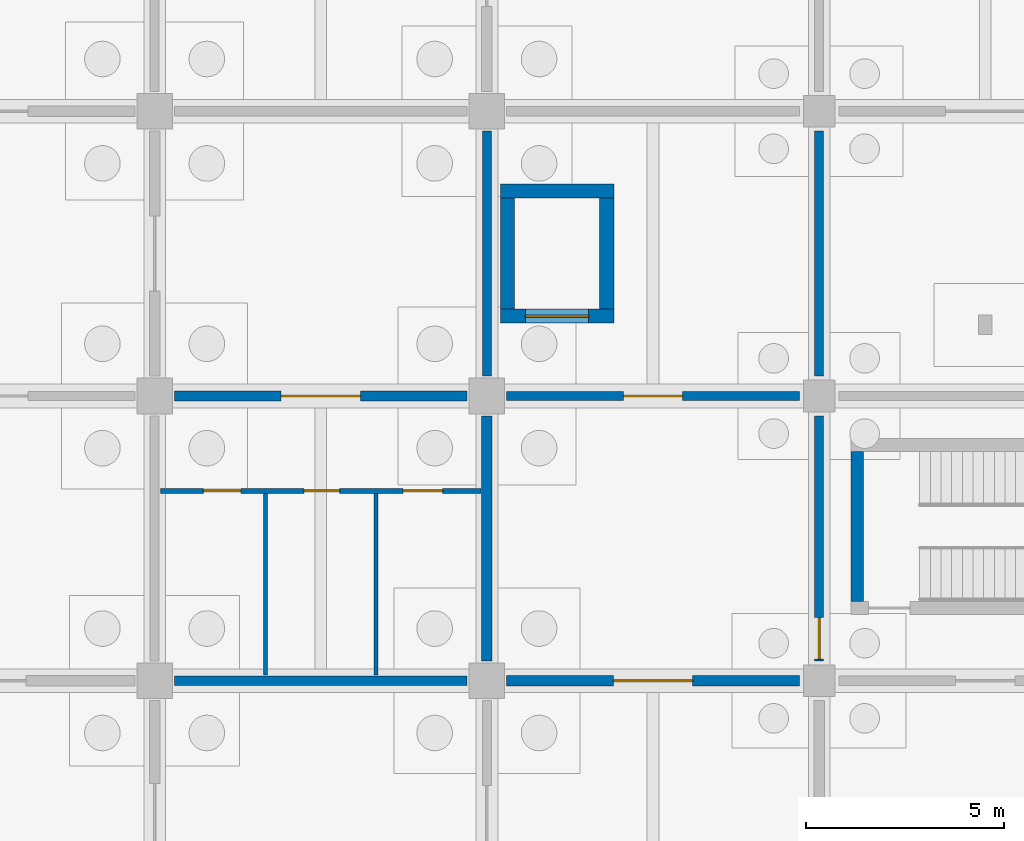
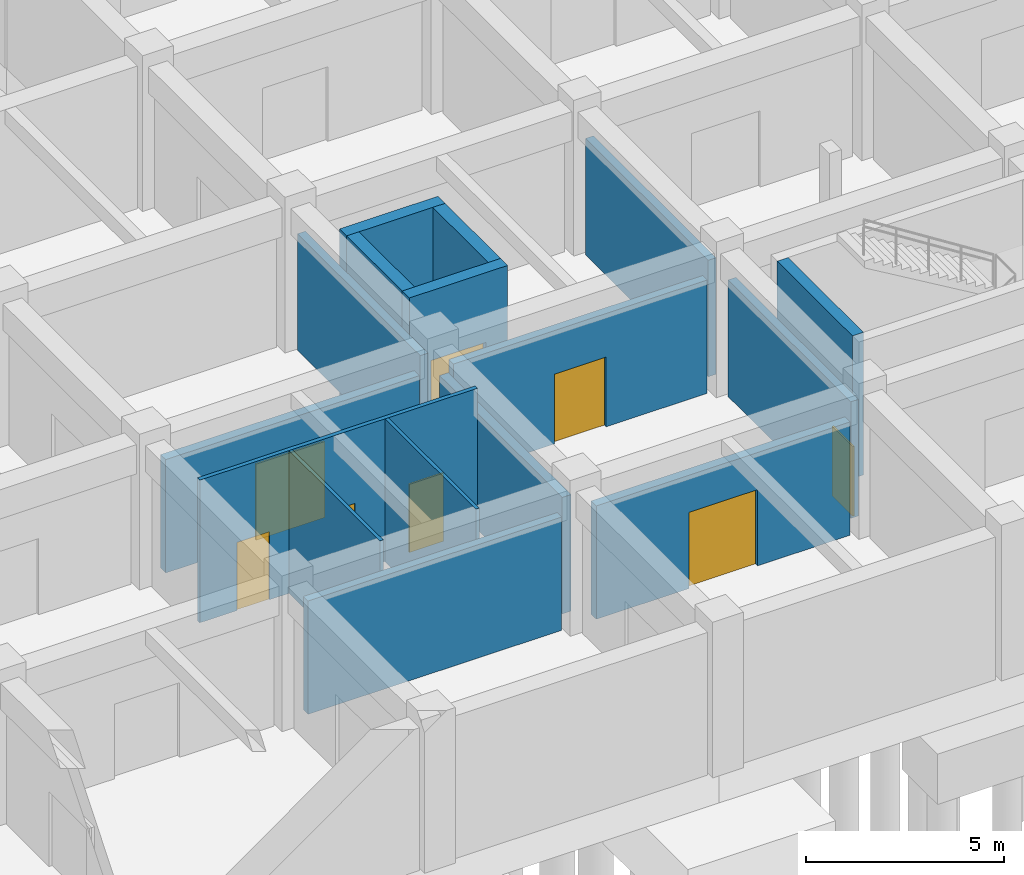
# One storey, part 30 of 38: 16 walls, 8 doors, 8 openings.
"""IFC4 building model written with IfcOpenShell, lengths in metres."""

from ifc_helpers import new_model, si_unit, derived_unit, direction, frame, frame_2d, origin, place, context, subcontext, project, spatial, rectangle, extrude, material, layer, layer_set, type_object, element, fill, save


model = new_model("IFC4")

# Units and contexts
model_context = context("Model", 3, precision=1e-05, world=origin(), true_north=direction((0.0, 1.0)))
body_context = subcontext(model_context, "Body", "Model", "MODEL_VIEW")
ifc_project = project(units=[si_unit("LENGTHUNIT", "METRE"), si_unit("AREAUNIT", "SQUARE_METRE"), si_unit("VOLUMEUNIT", "CUBIC_METRE"), si_unit("PLANEANGLEUNIT", "RADIAN"), si_unit("MASSUNIT", "GRAM", prefix="KILO"), derived_unit("THERMALTRANSMITTANCEUNIT", [(si_unit("MASSUNIT", "GRAM", prefix="KILO"), 1), (si_unit("TIMEUNIT", "SECOND"), -3), (si_unit("THERMODYNAMICTEMPERATUREUNIT", "KELVIN"), -1)])], contexts=[model_context])

# Site, building, storey
site_placement = place(None, origin())
site = spatial("IfcSite", under=ifc_project, at=site_placement, CompositionType="ELEMENT")
building_placement = place(site_placement, origin())
building = spatial("IfcBuilding", under=site, at=building_placement, Name="Veldstrom Oceanarium and Marine Research Institute", CompositionType="ELEMENT")
storey_placement = place(building_placement, frame((0.0, 0.0, -9.60009765625)))
storey = spatial("IfcBuildingStorey", under=building, at=storey_placement, Name="B02", CompositionType="ELEMENT", Elevation=-9.60009765625)

# Walls
ifc_material_1 = material(Name="Masonry Fire Compartment Wall", Category="masonry")
ifc_layer_1 = layer(ifc_material_1, 0.22998046875)
ifc_layer_set_1 = layer_set([ifc_layer_1], Name="ARC-WAL-PT1")
wall_type_1 = type_object("IfcWallType", Name="ARC-WAL-PT1", PredefinedType="PARTITIONING", material=ifc_layer_set_1)
wall_1_placement = place(storey_placement, frame((109.699951171875, 50.39990234375, 0.0), z_axis=(0.0, 0.0, 1.0), x_axis=(1.0, 0.0, 0.0)))
element("IfcWall", 1, at=wall_1_placement, inside=storey, type_object=wall_type_1, Name="Interior Partition PT1 B02-0183", PredefinedType="PARTITIONING", context=body_context, shape_type="SweptSolid", body=[
    extrude(rectangle(XDim=7.400146484375, YDim=0.22998046875, at=frame_2d((3.7001953125, 0.0))), origin(), (0.0, 0.0, 1.0), 3.4951171875),
])
wall_2_placement = place(storey_placement, frame((117.60009765625, 58.10009765625, 0.0), z_axis=(0.0, 0.0, 1.0), x_axis=(0.0, 1.0, 0.0)))
element("IfcWall", 2, at=wall_2_placement, inside=storey, type_object=wall_type_1, Name="Interior Partition PT1 B02-0186", PredefinedType="PARTITIONING", context=body_context, shape_type="SweptSolid", body=[
    extrude(rectangle(XDim=6.199951171875, YDim=0.22998046875, at=frame_2d((3.10009765625, 0.0))), origin(), (0.0, 0.0, 1.0), 3.59521484375),
])

# Wall, opening, door
wall_3_placement = place(storey_placement, frame((126.0, 50.89990234375, 0.0), z_axis=(0.0, 0.0, 1.0), x_axis=(0.0, 1.0, 0.0)))
wall_3 = element("IfcWall", 3, at=wall_3_placement, inside=storey, type_object=wall_type_1, Name="Interior Partition PT1 B02-0191", PredefinedType="PARTITIONING", context=body_context, shape_type="SweptSolid", body=[
    extrude(rectangle(XDim=6.2001953125, YDim=0.22998046875, at=frame_2d((3.10009765625, 0.0))), origin(), (0.0, 0.0, 1.0), 3.59521484375),
])
opening_1_placement = place(wall_3_placement, frame((0.050048828125, 0.0, 0.0)))
opening_1 = element("IfcOpeningElement", 4, at=opening_1_placement, cuts=wall_3, Name="Opening D-B02-112", PredefinedType="OPENING", context=body_context, shape_type="SweptSolid", body=[
    extrude(rectangle(XDim=1.050048828125, YDim=2.14990234375, at=frame_2d((0.52490234375, 1.074951171875))), frame((0.0, 0.125, 0.0), z_axis=(0.0, -1.0, 0.0), x_axis=(1.0, 0.0, 0.0)), (0.0, 0.0, 1.0), 0.25),
])
ifc_material_2 = material(Name="Painted Steel Fire Door", Category="steel")
door_type_1 = type_object("IfcDoorType", Name="ARC-DOR-SD1", OperationType="SINGLE_SWING_LEFT", PredefinedType="DOOR", material=ifc_material_2)
door_1_placement = place(opening_1_placement, origin())
door_1 = element("IfcDoor", 5, at=door_1_placement, inside=storey, type_object=door_type_1, Name="Interior Door D-B02-112", OperationType="SINGLE_SWING_LEFT", OverallHeight=2.14990234375, OverallWidth=1.050048828125, PredefinedType="DOOR", context=body_context, shape_type="SweptSolid", body=[
    extrude(rectangle(XDim=1.050048828125, YDim=2.14990234375, at=frame_2d((0.52490234375, 1.074951171875))), frame((0.0, 0.02490234375, 0.0), z_axis=(0.0, -1.0, 0.0), x_axis=(1.0, 0.0, 0.0)), (0.0, 0.0, 1.0), 0.050048828125),
])
fill(opening_1, door_1)

wall_4_placement = place(storey_placement, frame((118.10009765625, 57.60009765625, 0.0), z_axis=(0.0, 0.0, 1.0), x_axis=(1.0, 0.0, 0.0)))
wall_4 = element("IfcWall", 6, at=wall_4_placement, inside=storey, type_object=wall_type_1, Name="Interior Partition PT1 B02-0192", PredefinedType="PARTITIONING", context=body_context, shape_type="SweptSolid", body=[
    extrude(rectangle(XDim=7.39990234375, YDim=0.22998046875, at=frame_2d((3.699951171875, 0.0))), origin(), (0.0, 0.0, 1.0), 3.4951171875),
])
opening_2_placement = place(wall_4_placement, frame((2.949951171875, 0.0, 0.0)))
opening_2 = element("IfcOpeningElement", 7, at=opening_2_placement, cuts=wall_4, Name="Opening D-B02-113", PredefinedType="OPENING", context=body_context, shape_type="SweptSolid", body=[
    extrude(rectangle(XDim=1.5, YDim=2.14990234375, at=frame_2d((0.75, 1.074951171875))), frame((0.0, 0.125, 0.0), z_axis=(0.0, -1.0, 0.0), x_axis=(1.0, 0.0, 0.0)), (0.0, 0.0, 1.0), 0.25),
])
ifc_material_3 = material(Name="Painted Steel Lobby Fire Door", Category="steel")
door_type_2 = type_object("IfcDoorType", Name="ARC-DOR-SD2", OperationType="DOUBLE_DOOR_SINGLE_SWING", PredefinedType="DOOR", material=ifc_material_3)
door_2_placement = place(opening_2_placement, frame((1.5, 0.0, 0.0), z_axis=(0.0, 0.0, 1.0), x_axis=(-1.0, 0.0, 0.0)))
door_2 = element("IfcDoor", 8, at=door_2_placement, inside=storey, type_object=door_type_2, Name="Interior Door D-B02-113", OperationType="DOUBLE_DOOR_SINGLE_SWING", OverallHeight=2.14990234375, OverallWidth=1.5, PredefinedType="DOOR", context=body_context, shape_type="SweptSolid", body=[
    extrude(rectangle(XDim=1.5, YDim=2.14990234375, at=frame_2d((0.75, 1.074951171875))), frame((0.0, 0.02490234375, 0.0), z_axis=(0.0, -1.0, 0.0), x_axis=(1.0, 0.0, 0.0)), (0.0, 0.0, 1.0), 0.050048828125),
])
fill(opening_2, door_2)

# Wall
wall_5_placement = place(storey_placement, frame((126.0, 58.10009765625, 0.0), z_axis=(0.0, 0.0, 1.0), x_axis=(0.0, 1.0, 0.0)))
element("IfcWall", 9, at=wall_5_placement, inside=storey, type_object=wall_type_1, Name="Interior Partition PT1 B02-0193", PredefinedType="PARTITIONING", context=body_context, shape_type="SweptSolid", body=[
    extrude(rectangle(XDim=6.199951171875, YDim=0.22998046875, at=frame_2d((3.10009765625, 0.0))), origin(), (0.0, 0.0, 1.0), 3.59521484375),
])

# Wall, openings, doors
ifc_material_4 = material(Name="Lightweight Studio Partition", Category="gypsum")
ifc_layer_2 = layer(ifc_material_4, 0.1201171875)
ifc_layer_set_2 = layer_set([ifc_layer_2], Name="ARC-WAL-PT6")
wall_type_2 = type_object("IfcWallType", Name="ARC-WAL-PT6", PredefinedType="PARTITIONING", material=ifc_layer_set_2)
wall_6_placement = place(storey_placement, frame((109.35009765625, 55.199951171875, 0.0), z_axis=(0.0, 0.0, 1.0), x_axis=(1.0, 0.0, 0.0)))
wall_6 = element("IfcWall", 10, at=wall_6_placement, inside=storey, type_object=wall_type_2, Name="Sanitary Vestibule Partition B02-13", PredefinedType="PARTITIONING", context=body_context, shape_type="SweptSolid", body=[
    extrude(rectangle(XDim=8.099853515625, YDim=0.1201171875, at=frame_2d((4.0498046875, 0.0))), origin(), (0.0, 0.0, 1.0), 4.400146484375),
])
opening_3_placement = place(wall_6_placement, frame((1.080078125, 0.0, 0.0)))
opening_3 = element("IfcOpeningElement", 11, at=opening_3_placement, cuts=wall_6, Name="Opening D-B02-WC001", PredefinedType="OPENING", context=body_context, shape_type="SweptSolid", body=[
    extrude(rectangle(XDim=0.949951171875, YDim=2.10009765625, at=frame_2d((0.47509765625, 1.050048828125))), frame((0.0, 0.070068359375, 0.0), z_axis=(0.0, -1.0, 0.0), x_axis=(1.0, 0.0, 0.0)), (0.0, 0.0, 1.0), 0.14013671875),
])
opening_4_placement = place(wall_6_placement, frame((3.6298828125, 0.0, 0.0)))
opening_4 = element("IfcOpeningElement", 12, at=opening_4_placement, cuts=wall_6, Name="Opening D-B02-WC002", PredefinedType="OPENING", context=body_context, shape_type="SweptSolid", body=[
    extrude(rectangle(XDim=0.89990234375, YDim=2.10009765625, at=frame_2d((0.449951171875, 1.050048828125))), frame((0.0, 0.070068359375, 0.0), z_axis=(0.0, -1.0, 0.0), x_axis=(1.0, 0.0, 0.0)), (0.0, 0.0, 1.0), 0.14013671875),
])
opening_5_placement = place(wall_6_placement, frame((6.1298828125, 0.0, 0.0)))
opening_5 = element("IfcOpeningElement", 13, at=opening_5_placement, cuts=wall_6, Name="Opening D-B02-WC003", PredefinedType="OPENING", context=body_context, shape_type="SweptSolid", body=[
    extrude(rectangle(XDim=1.0, YDim=2.10009765625, at=frame_2d((0.5, 1.050048828125))), frame((0.0, 0.070068359375, 0.0), z_axis=(0.0, -1.0, 0.0), x_axis=(1.0, 0.0, 0.0)), (0.0, 0.0, 1.0), 0.14013671875),
])
ifc_material_5 = material(Name="Accessible Sanitary Door", Category="timber")
door_type_3 = type_object("IfcDoorType", Name="ARC-DOR-ID08", OperationType="SINGLE_SWING_RIGHT", PredefinedType="DOOR", material=ifc_material_5)
door_3_placement = place(opening_5_placement, frame((1.0, 0.0, 0.0), z_axis=(0.0, 0.0, 1.0), x_axis=(-1.0, 0.0, 0.0)))
door_3 = element("IfcDoor", 14, at=door_3_placement, inside=storey, type_object=door_type_3, Name="Accessible WC Door D-B02-WC003", OperationType="SINGLE_SWING_RIGHT", OverallHeight=2.10009765625, OverallWidth=1.0, PredefinedType="DOOR", context=body_context, shape_type="SweptSolid", body=[
    extrude(rectangle(XDim=1.0, YDim=2.10009765625, at=frame_2d((0.5, 1.050048828125))), frame((0.0, 0.02490234375, 0.0), z_axis=(0.0, -1.0, 0.0), x_axis=(1.0, 0.0, 0.0)), (0.0, 0.0, 1.0), 0.050048828125),
])
fill(opening_5, door_3)
ifc_material_6 = material(Name="Staff Sanitary Door", Category="timber")
door_type_4 = type_object("IfcDoorType", Name="ARC-DOR-ID09", OperationType="SINGLE_SWING_LEFT", PredefinedType="DOOR", material=ifc_material_6)
door_4_placement = place(opening_3_placement, frame((0.949951171875, 0.0, 0.0), z_axis=(0.0, 0.0, 1.0), x_axis=(-1.0, 0.0, 0.0)))
door_4 = element("IfcDoor", 15, at=door_4_placement, inside=storey, type_object=door_type_4, Name="Male WC Door D-B02-WC001", OperationType="SINGLE_SWING_RIGHT", OverallHeight=2.10009765625, OverallWidth=0.949951171875, PredefinedType="DOOR", context=body_context, shape_type="SweptSolid", body=[
    extrude(rectangle(XDim=0.949951171875, YDim=2.10009765625, at=frame_2d((0.47509765625, 1.050048828125))), frame((0.0, 0.02490234375, 0.0), z_axis=(0.0, -1.0, 0.0), x_axis=(1.0, 0.0, 0.0)), (0.0, 0.0, 1.0), 0.050048828125),
])
fill(opening_3, door_4)
ifc_material_7 = material(Name="Internal Sanitary Door", Category="timber")
door_type_5 = type_object("IfcDoorType", Name="ARC-DOR-ID10", OperationType="SINGLE_SWING_RIGHT", PredefinedType="DOOR", material=ifc_material_7)
door_5_placement = place(opening_4_placement, frame((0.89990234375, 0.0, 0.0), z_axis=(0.0, 0.0, 1.0), x_axis=(-1.0, 0.0, 0.0)))
door_5 = element("IfcDoor", 16, at=door_5_placement, inside=storey, type_object=door_type_5, Name="Female WC Door D-B02-WC002", OperationType="SINGLE_SWING_LEFT", OverallHeight=2.10009765625, OverallWidth=0.89990234375, PredefinedType="DOOR", context=body_context, shape_type="SweptSolid", body=[
    extrude(rectangle(XDim=0.89990234375, YDim=2.10009765625, at=frame_2d((0.449951171875, 1.050048828125))), frame((0.0, 0.02490234375, 0.0), z_axis=(0.0, -1.0, 0.0), x_axis=(1.0, 0.0, 0.0)), (0.0, 0.0, 1.0), 0.050048828125),
])
fill(opening_4, door_5)

# Walls
ifc_material_8 = material(Name="Sanitary Cubicle Partition", Category="gypsum")
ifc_layer_3 = layer(ifc_material_8, 0.10009765625)
ifc_layer_set_3 = layer_set([ifc_layer_3], Name="ARC-WAL-PT7")
wall_type_3 = type_object("IfcWallType", Name="ARC-WAL-PT7", PredefinedType="PARTITIONING", material=ifc_layer_set_3)
for number, where, z_axis, x_axis, name in (
    (17, (112.0, 50.550048828125, 0.0), (0.0, 0.0, 1.0), (0.0, 1.0, 0.0), "Sanitary Stall Divider Wall B02-0002"),
    (18, (114.800048828125, 50.550048828125, 0.0), (0.0, 0.0, 1.0), (0.0, 1.0, 0.0), "Sanitary Stall Divider Wall B02-0003"),
):
    element("IfcWall", number, at=place(storey_placement, frame(where, z_axis=z_axis, x_axis=x_axis)), inside=storey, type_object=wall_type_3, Name=name, PredefinedType="PARTITIONING", context=body_context, shape_type="SweptSolid", body=[
        extrude(rectangle(XDim=4.58984375, YDim=0.10009765625, at=frame_2d((2.294921875, 0.0))), origin(), (0.0, 0.0, 1.0), 4.400146484375),
    ])
ifc_material_9 = material(Name="Plant Acoustic Masonry Wall", Category="masonry")
ifc_layer_4 = layer(ifc_material_9, 0.260009765625)
ifc_layer_set_4 = layer_set([ifc_layer_4], Name="ARC-WAL-PT8")
wall_type_4 = type_object("IfcWallType", Name="ARC-WAL-PT8", PredefinedType="PARTITIONING", material=ifc_layer_set_4)
wall_7_placement = place(storey_placement, frame((117.60009765625, 50.89990234375, 0.0), z_axis=(0.0, 0.0, 1.0), x_axis=(0.0, 1.0, 0.0)))
element("IfcWall", 19, at=wall_7_placement, inside=storey, type_object=wall_type_4, Name="Interior Partition PT8 B02-0184", PredefinedType="PARTITIONING", context=body_context, shape_type="SweptSolid", body=[
    extrude(rectangle(XDim=6.2001953125, YDim=0.260009765625, at=frame_2d((3.10009765625, 0.0))), origin(), (0.0, 0.0, 1.0), 3.59521484375),
])

# Wall, opening, door
wall_8_placement = place(storey_placement, frame((109.699951171875, 57.60009765625, 0.0), z_axis=(0.0, 0.0, 1.0), x_axis=(1.0, 0.0, 0.0)))
wall_8 = element("IfcWall", 20, at=wall_8_placement, inside=storey, type_object=wall_type_4, Name="Interior Partition PT8 B02-0185", PredefinedType="PARTITIONING", context=body_context, shape_type="SweptSolid", body=[
    extrude(rectangle(XDim=7.400146484375, YDim=0.260009765625, at=frame_2d((3.7001953125, 0.0))), origin(), (0.0, 0.0, 1.0), 3.4951171875),
])
opening_6_placement = place(wall_8_placement, frame((2.699951171875, 0.0, 0.0)))
opening_6 = element("IfcOpeningElement", 21, at=opening_6_placement, cuts=wall_8, Name="Opening D-B02-109", PredefinedType="OPENING", context=body_context, shape_type="SweptSolid", body=[
    extrude(rectangle(XDim=2.0, YDim=2.35009765625, at=frame_2d((1.0, 1.175048828125))), frame((0.0, 0.139892578125, 0.0), z_axis=(0.0, -1.0, 0.0), x_axis=(1.0, 0.0, 0.0)), (0.0, 0.0, 1.0), 0.280029296875),
])
ifc_material_10 = material(Name="Filtration Hall Double Door", Category="steel")
door_type_6 = type_object("IfcDoorType", Name="ARC-DOR-ID18", OperationType="DOUBLE_DOOR_SINGLE_SWING", PredefinedType="DOOR", material=ifc_material_10)
door_6_placement = place(opening_6_placement, frame((2.0, 0.0, 0.0), z_axis=(0.0, 0.0, 1.0), x_axis=(-1.0, 0.0, 0.0)))
door_6 = element("IfcDoor", 22, at=door_6_placement, inside=storey, type_object=door_type_6, Name="Interior Door D-B02-109", OperationType="DOUBLE_DOOR_SINGLE_SWING", OverallHeight=2.35009765625, OverallWidth=2.0, PredefinedType="DOOR", context=body_context, shape_type="SweptSolid", body=[
    extrude(rectangle(XDim=2.0, YDim=2.35009765625, at=frame_2d((1.0, 1.175048828125))), frame((0.0, 0.02490234375, 0.0), z_axis=(0.0, -1.0, 0.0), x_axis=(1.0, 0.0, 0.0)), (0.0, 0.0, 1.0), 0.050048828125),
])
fill(opening_6, door_6)

wall_9_placement = place(storey_placement, frame((118.10009765625, 50.39990234375, 0.0), z_axis=(0.0, 0.0, 1.0), x_axis=(1.0, 0.0, 0.0)))
wall_9 = element("IfcWall", 23, at=wall_9_placement, inside=storey, type_object=wall_type_4, Name="Interior Partition PT8 B02-0190", PredefinedType="PARTITIONING", context=body_context, shape_type="SweptSolid", body=[
    extrude(rectangle(XDim=7.39990234375, YDim=0.260009765625, at=frame_2d((3.699951171875, 0.0))), origin(), (0.0, 0.0, 1.0), 3.4951171875),
])
opening_7_placement = place(wall_9_placement, frame((2.699951171875, 0.0, 0.0)))
opening_7 = element("IfcOpeningElement", 24, at=opening_7_placement, cuts=wall_9, Name="Opening D-B02-111", PredefinedType="OPENING", context=body_context, shape_type="SweptSolid", body=[
    extrude(rectangle(XDim=2.0, YDim=2.35009765625, at=frame_2d((1.0, 1.175048828125))), frame((0.0, 0.139892578125, 0.0), z_axis=(0.0, -1.0, 0.0), x_axis=(1.0, 0.0, 0.0)), (0.0, 0.0, 1.0), 0.280029296875),
])
door_7_placement = place(opening_7_placement, origin())
door_7 = element("IfcDoor", 25, at=door_7_placement, inside=storey, type_object=door_type_6, Name="Interior Door D-B02-111", OperationType="DOUBLE_DOOR_SINGLE_SWING", OverallHeight=2.35009765625, OverallWidth=2.0, PredefinedType="DOOR", context=body_context, shape_type="SweptSolid", body=[
    extrude(rectangle(XDim=2.0, YDim=2.35009765625, at=frame_2d((1.0, 1.175048828125))), frame((0.0, 0.02490234375, 0.0), z_axis=(0.0, -1.0, 0.0), x_axis=(1.0, 0.0, 0.0)), (0.0, 0.0, 1.0), 0.050048828125),
])
fill(opening_7, door_7)

# Wall
ifc_material_11 = material(Name="Concrete C40/50", Category="concrete")
ifc_layer_5 = layer(ifc_material_11, 0.360107421875)
ifc_layer_set_5 = layer_set([ifc_layer_5], Name="STR-WAL-WC2")
wall_type_5 = type_object("IfcWallType", Name="STR-WAL-WC2", PredefinedType="SHEAR", material=ifc_layer_set_5)
wall_10_placement = place(storey_placement, frame((117.93994140625, 62.780029296875, -0.75), z_axis=(0.0, 0.0, 1.0), x_axis=(1.0, 0.0, 0.0)))
element("IfcWall", 26, at=wall_10_placement, inside=storey, type_object=wall_type_5, Name="Lift Shaft Shear Wall N B02 14/8", PredefinedType="SHEAR", context=body_context, shape_type="SweptSolid", body=[
    extrude(rectangle(XDim=2.8701171875, YDim=0.360107421875, at=frame_2d((1.43505859375, 0.0))), origin(), (0.0, 0.0, 1.0), 5.150146484375),
])

# Wall, opening, door
wall_11_placement = place(storey_placement, frame((117.93994140625, 59.6201171875, -0.75), z_axis=(0.0, 0.0, 1.0), x_axis=(1.0, 0.0, 0.0)))
wall_11 = element("IfcWall", 27, at=wall_11_placement, inside=storey, type_object=wall_type_5, Name="Lift Shaft Front Shear Wall LG1 B02", PredefinedType="SHEAR", context=body_context, shape_type="SweptSolid", body=[
    extrude(rectangle(XDim=2.8701171875, YDim=0.360107421875, at=frame_2d((1.43505859375, 0.0))), origin(), (0.0, 0.0, 1.0), 5.150146484375),
])
opening_8_placement = place(wall_11_placement, frame((0.635009765625, 0.0, 0.75)))
opening_8 = element("IfcOpeningElement", 28, at=opening_8_placement, cuts=wall_11, Name="Opening LD-LG1-B02", PredefinedType="OPENING", context=body_context, shape_type="SweptSolid", body=[
    extrude(rectangle(XDim=1.60009765625, YDim=2.25, at=frame_2d((0.800048828125, 1.125))), frame((0.0, 0.18994140625, 0.0), z_axis=(0.0, -1.0, 0.0), x_axis=(1.0, 0.0, 0.0)), (0.0, 0.0, 1.0), 0.380126953125),
])
ifc_material_12 = material(Name="Heavy Goods Lift Landing Door", Category="steel")
door_type_7 = type_object("IfcDoorType", Name="ARC-DOR-LD4", OperationType="DOUBLE_DOOR_SLIDING", PredefinedType="DOOR", material=ifc_material_12)
door_8_placement = place(opening_8_placement, origin())
door_8 = element("IfcDoor", 29, at=door_8_placement, inside=storey, type_object=door_type_7, Name="Lift Landing Door LD-LG1-B02", OperationType="DOUBLE_DOOR_SLIDING", OverallHeight=2.25, OverallWidth=1.60009765625, PredefinedType="DOOR", context=body_context, shape_type="SweptSolid", body=[
    extrude(rectangle(XDim=1.60009765625, YDim=2.25, at=frame_2d((0.800048828125, 1.125))), frame((0.0, 0.02490234375, 0.0), z_axis=(0.0, -1.0, 0.0), x_axis=(1.0, 0.0, 0.0)), (0.0, 0.0, 1.0), 0.050048828125),
])
fill(opening_8, door_8)

# Walls
for number, where, z_axis, x_axis, name in (
    (30, (118.1201171875, 59.800048828125, -0.75), (0.0, 0.0, 1.0), (0.0, 1.0, 0.0), "Lift Shaft Shear Wall W B02 14/8"),
    (31, (120.6298828125, 59.800048828125, -0.75), (0.0, 0.0, 1.0), (0.0, 1.0, 0.0), "Lift Shaft Shear Wall E B02 14/8"),
):
    element("IfcWall", number, at=place(storey_placement, frame(where, z_axis=z_axis, x_axis=x_axis)), inside=storey, type_object=wall_type_5, Name=name, PredefinedType="SHEAR", context=body_context, shape_type="SweptSolid", body=[
        extrude(rectangle(XDim=2.800048828125, YDim=0.360107421875, at=frame_2d((1.39990234375, 0.0))), origin(), (0.0, 0.0, 1.0), 5.150146484375),
    ])
ifc_material_13 = material(Name="Concrete C40/50", Category="concrete")
ifc_layer_6 = layer(ifc_material_13, 0.320068359375)
ifc_layer_set_6 = layer_set([ifc_layer_6], Name="STR-WAL-WC3")
wall_type_6 = type_object("IfcWallType", Name="STR-WAL-WC3", PredefinedType="SHEAR", material=ifc_layer_set_6)
wall_12_placement = place(storey_placement, frame((126.9599609375, 52.39990234375, 0.0), z_axis=(0.0, 0.0, 1.0), x_axis=(0.0, 1.0, 0.0)))
element("IfcWall", 32, at=wall_12_placement, inside=storey, type_object=wall_type_6, Name="Stair Core Shear Wall SC4-B02-W", PredefinedType="SHEAR", context=body_context, shape_type="SweptSolid", body=[
    extrude(rectangle(XDim=3.800048828125, YDim=0.320068359375, at=frame_2d((1.89990234375, 0.0))), origin(), (0.0, 0.0, 1.0), 4.400146484375),
])

save(model, "model.ifc")
